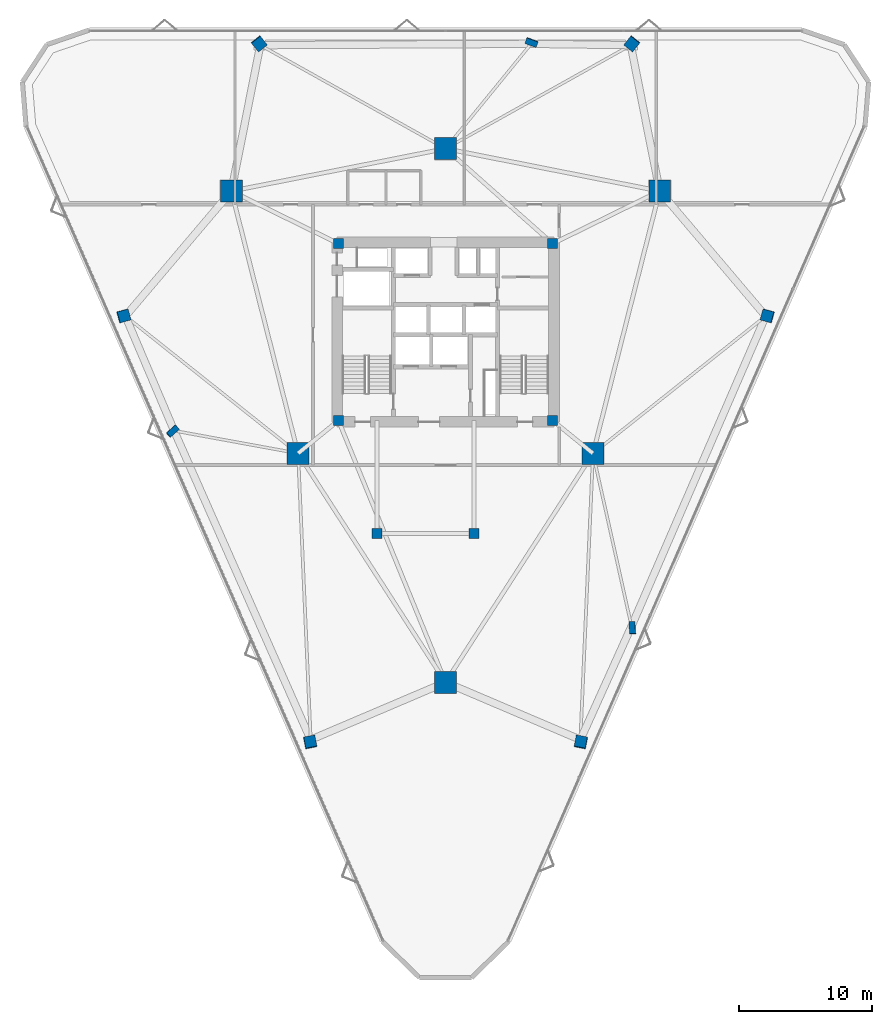
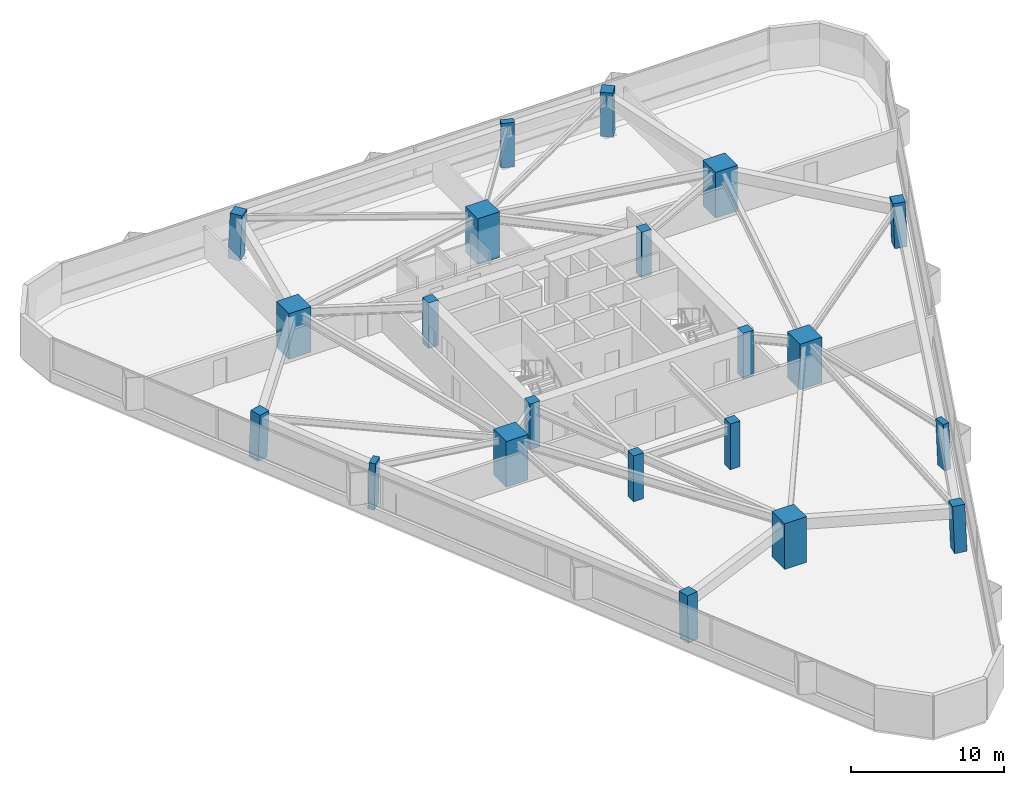
# One storey, part 1 of 20: 21 columns.
"""IFC4 building model written with IfcOpenShell, lengths in metres."""

from ifc_helpers import new_model, si_unit, direction, frame, origin, origin_2d, place, context, subcontext, project, spatial, rectangle, extrude, material, material_profile, profile_set, type_object, element, save


model = new_model("IFC4")

# Units and contexts
model_context = context("Model", 3, precision=1e-05, world=origin(), true_north=direction((0.0, 1.0)))
body_context = subcontext(model_context, "Body", "Model", "MODEL_VIEW")
ifc_project = project(units=[si_unit("LENGTHUNIT", "METRE"), si_unit("AREAUNIT", "SQUARE_METRE"), si_unit("VOLUMEUNIT", "CUBIC_METRE"), si_unit("PLANEANGLEUNIT", "RADIAN"), si_unit("MASSUNIT", "GRAM", prefix="KILO")], contexts=[model_context])

# Site, building, storey
site_placement = place(None, origin())
site = spatial("IfcSite", under=ifc_project, at=site_placement, CompositionType="ELEMENT")
building_placement = place(site_placement, origin())
building = spatial("IfcBuilding", under=site, at=building_placement, Name="Talyreon Biosciences Tower", CompositionType="ELEMENT")
storey_placement = place(building_placement, frame((0.0, 0.0, 78.64990234375)))
storey = spatial("IfcBuildingStorey", under=building, at=storey_placement, Name="L20", CompositionType="ELEMENT", Elevation=78.64990234375)

# Columns
ifc_material_1 = material(Name="Precast concrete C45/55", Category="concrete")
ifc_material_profile_1 = material_profile(ifc_material_1, rectangle(XDim=0.89990234375, YDim=0.449951171875, at=origin_2d()), Name="RC 900x450")
ifc_profile_set_1 = profile_set([ifc_material_profile_1], Name="Precast concrete C45/55")
column_type_1 = type_object("IfcColumnType", Name="FacadePilaster_900x450", PredefinedType="PILASTER", material=ifc_profile_set_1)
column_1_placement = place(storey_placement, frame((80.052001953125, 45.74560546875, 0.003173828125), z_axis=(-0.019612054336, 0.038220078587, 0.999076870375), x_axis=(0.061358183424, -0.997339518059, 0.039358087402)))
element("IfcColumn", 1, at=column_1_placement, inside=storey, type_object=column_type_1, Name="L20 Facade Pilaster PL-SE", PredefinedType="PILASTER", context=body_context, shape_type="SweptSolid", body=[
    extrude(rectangle(XDim=0.89990234375, YDim=0.449951171875, at=origin_2d()), origin(), (0.0, 0.0, 1.0), 3.6474609375),
])
column_2_placement = place(storey_placement, frame((72.473388671875, 89.79248046875, 0.003173828125), z_axis=(-0.01238655289, -0.033544124313, 0.999360478022), x_axis=(-0.9380871136, 0.346399433166, 0.0)))
element("IfcColumn", 2, at=column_2_placement, inside=storey, type_object=column_type_1, Name="L20 Facade Pilaster PL-N", PredefinedType="PILASTER", context=body_context, shape_type="SweptSolid", body=[
    extrude(rectangle(XDim=0.89990234375, YDim=0.449951171875, at=origin_2d()), origin(), (0.0, 0.0, 1.0), 3.646484375),
])
column_3_placement = place(storey_placement, frame((45.474609375, 60.545654296875, 0.003173828125), z_axis=(0.032006476949, 0.010512587617, 0.999432374368), x_axis=(0.744902063862, 0.666459481761, -0.030865424438)))
element("IfcColumn", 3, at=column_3_placement, inside=storey, type_object=column_type_1, Name="L20 Facade Pilaster PL-SW", PredefinedType="PILASTER", context=body_context, shape_type="SweptSolid", body=[
    extrude(rectangle(XDim=0.89990234375, YDim=0.449951171875, at=origin_2d()), origin(), (0.0, 0.0, 1.0), 3.64599609375),
])
ifc_material_2 = material(Name="Concrete C60/75", Category="concrete")
ifc_material_profile_2 = material_profile(ifc_material_2, rectangle(XDim=1.64990234375, YDim=1.64990234375, at=origin_2d()), Name="RC 1650x1650")
ifc_profile_set_2 = profile_set([ifc_material_profile_2], Name="Concrete C60/75")
column_type_2 = type_object("IfcColumnType", Name="MegaColumn_1650", PredefinedType="COLUMN", material=ifc_profile_set_2)
for number, where, z_axis, x_axis, name in (
    (4, (66.0, 41.6669921875, 0.0), (0.0, 0.0, 1.0), (1.0, 0.0, 0.0), "L20 Composite Mega-Column MC1"),
    (5, (82.102294921875, 78.5986328125, 0.0), (0.0, 0.0, 1.0), (1.0, 0.0, 0.0), "L20 Composite Mega-Column MC2"),
    (6, (49.897705078125, 78.5986328125, 0.0), (0.0, 0.0, 1.0), (1.0, 0.0, 0.0), "L20 Composite Mega-Column MC3"),
    (7, (77.086181640625, 58.88037109375, 0.0), (0.0, 0.0, 1.0), (1.0, 0.0, 0.0), "L20 Composite Mega-Column MC4"),
    (8, (66.0, 81.788818359375, 0.0), (0.0, 0.0, 1.0), (1.0, 0.0, 0.0), "L20 Composite Mega-Column MC5"),
    (9, (54.913818359375, 58.88037109375, 0.0), (0.0, 0.0, 1.0), (1.0, 0.0, 0.0), "L20 Composite Mega-Column MC6"),
):
    element("IfcColumn", number, at=place(storey_placement, frame(where, z_axis=z_axis, x_axis=x_axis)), inside=storey, type_object=column_type_2, Name=name, PredefinedType="COLUMN", context=body_context, shape_type="SweptSolid", body=[
        extrude(rectangle(XDim=1.64990234375, YDim=1.64990234375, at=origin_2d()), origin(), (0.0, 0.0, 1.0), 3.650146484375),
    ])
ifc_material_3 = material(Name="Concrete C50/60", Category="concrete")
ifc_material_profile_3 = material_profile(ifc_material_3, rectangle(XDim=0.75, YDim=0.75, at=origin_2d()), Name="RC 750x750")
ifc_profile_set_3 = profile_set([ifc_material_profile_3], Name="Concrete C50/60")
column_type_3 = type_object("IfcColumnType", Name="PerimeterColumn_750", PredefinedType="COLUMN", material=ifc_profile_set_3)
for number, where, z_axis, x_axis, name in (
    (10, (57.949951171875, 61.35009765625, 0.0), (0.0, 0.0, 1.0), (1.0, 0.0, 0.0), "L20 Core Column CC1"),
    (11, (74.050048828125, 61.35009765625, 0.0), (0.0, 0.0, 1.0), (1.0, 0.0, 0.0), "L20 Core Column CC2"),
    (12, (74.050048828125, 74.64990234375, 0.0), (0.0, 0.0, 1.0), (1.0, 0.0, 0.0), "L20 Core Column CC3"),
    (13, (57.949951171875, 74.64990234375, 0.0), (0.0, 0.0, 1.0), (1.0, 0.0, 0.0), "L20 Core Column CC4"),
    (14, (60.85009765625, 52.840087890625, 0.0), (0.0, 0.0, 1.0), (1.0, 0.0, 0.0), "L20 Core Column CSW"),
    (15, (68.14990234375, 52.840087890625, 0.0), (0.0, 0.0, 1.0), (1.0, 0.0, 0.0), "L20 Core Column CSE"),
):
    element("IfcColumn", number, at=place(storey_placement, frame(where, z_axis=z_axis, x_axis=x_axis)), inside=storey, type_object=column_type_3, Name=name, PredefinedType="COLUMN", context=body_context, shape_type="SweptSolid", body=[
        extrude(rectangle(XDim=0.75, YDim=0.75, at=origin_2d()), origin(), (0.0, 0.0, 1.0), 3.650146484375),
    ])
ifc_material_profile_4 = material_profile(ifc_material_2, rectangle(XDim=0.85009765625, YDim=0.85009765625, at=origin_2d()), Name="RC 850x850")
ifc_profile_set_4 = profile_set([ifc_material_profile_4], Name="Concrete C60/75")
column_type_4 = type_object("IfcColumnType", Name="PerimeterColumn_850", PredefinedType="COLUMN", material=ifc_profile_set_4)
column_4_placement = place(storey_placement, frame((76.18408203125, 37.152099609375, 0.003173828125), z_axis=(-0.012375141264, 0.054450621561, 0.998439775695), x_axis=(-0.188036425574, -0.980828731391, 0.051159577155)))
element("IfcColumn", 16, at=column_4_placement, inside=storey, type_object=column_type_4, Name="L20 Tapering Perimeter Column PC-SE1", PredefinedType="COLUMN", context=body_context, shape_type="SweptSolid", body=[
    extrude(rectangle(XDim=0.85009765625, YDim=0.85009765625, at=origin_2d()), origin(), (0.0, 0.0, 1.0), 3.649658203125),
])
column_5_placement = place(storey_placement, frame((90.210205078125, 69.21923828125, 0.003173828125), z_axis=(-0.039296334646, -0.005690269923, 0.99921139851), x_axis=(0.963451659262, -0.265400635466, 0.036378605787)))
element("IfcColumn", 17, at=column_5_placement, inside=storey, type_object=column_type_4, Name="L20 Tapering Perimeter Column PC-SE2", PredefinedType="COLUMN", context=body_context, shape_type="SweptSolid", body=[
    extrude(rectangle(XDim=0.85009765625, YDim=0.85009765625, at=origin_2d()), origin(), (0.0, 0.0, 1.0), 3.64697265625),
])
for number, where, z_axis, x_axis, name in (
    (18, (80.02587890625, 89.6923828125, 0.003173828125), (-0.026841136432, -0.033467751162, 0.999079307676), (-0.780107149771, 0.625645934116, 0.0), "L20 Tapering Perimeter Column PC-N1"),
    (19, (51.97412109375, 89.6923828125, 0.003173828125), (0.026841136432, -0.033467751162, 0.999079307676), (-0.780107149771, -0.625645934116, 0.0), "L20 Tapering Perimeter Column PC-N2"),
):
    element("IfcColumn", number, at=place(storey_placement, frame(where, z_axis=z_axis, x_axis=x_axis)), inside=storey, type_object=column_type_4, Name=name, PredefinedType="COLUMN", context=body_context, shape_type="SweptSolid", body=[
        extrude(rectangle(XDim=0.85009765625, YDim=0.85009765625, at=origin_2d()), origin(), (0.0, 0.0, 1.0), 3.6474609375),
    ])
column_6_placement = place(storey_placement, frame((41.789794921875, 69.21923828125, 0.003173828125), z_axis=(0.039296334646, -0.005690269923, 0.99921139851), x_axis=(0.963451659262, 0.265400635466, -0.036378605787)))
element("IfcColumn", 20, at=column_6_placement, inside=storey, type_object=column_type_4, Name="L20 Tapering Perimeter Column PC-SW1", PredefinedType="COLUMN", context=body_context, shape_type="SweptSolid", body=[
    extrude(rectangle(XDim=0.85009765625, YDim=0.85009765625, at=origin_2d()), origin(), (0.0, 0.0, 1.0), 3.64697265625),
])
column_7_placement = place(storey_placement, frame((55.81591796875, 37.152099609375, 0.003173828125), z_axis=(0.012375141264, 0.054450621561, 0.998439775695), x_axis=(-0.188036425574, 0.980828731391, -0.051159577155)))
element("IfcColumn", 21, at=column_7_placement, inside=storey, type_object=column_type_4, Name="L20 Tapering Perimeter Column PC-SW2", PredefinedType="COLUMN", context=body_context, shape_type="SweptSolid", body=[
    extrude(rectangle(XDim=0.85009765625, YDim=0.85009765625, at=origin_2d()), origin(), (0.0, 0.0, 1.0), 3.649658203125),
])

save(model, "model.ifc")
